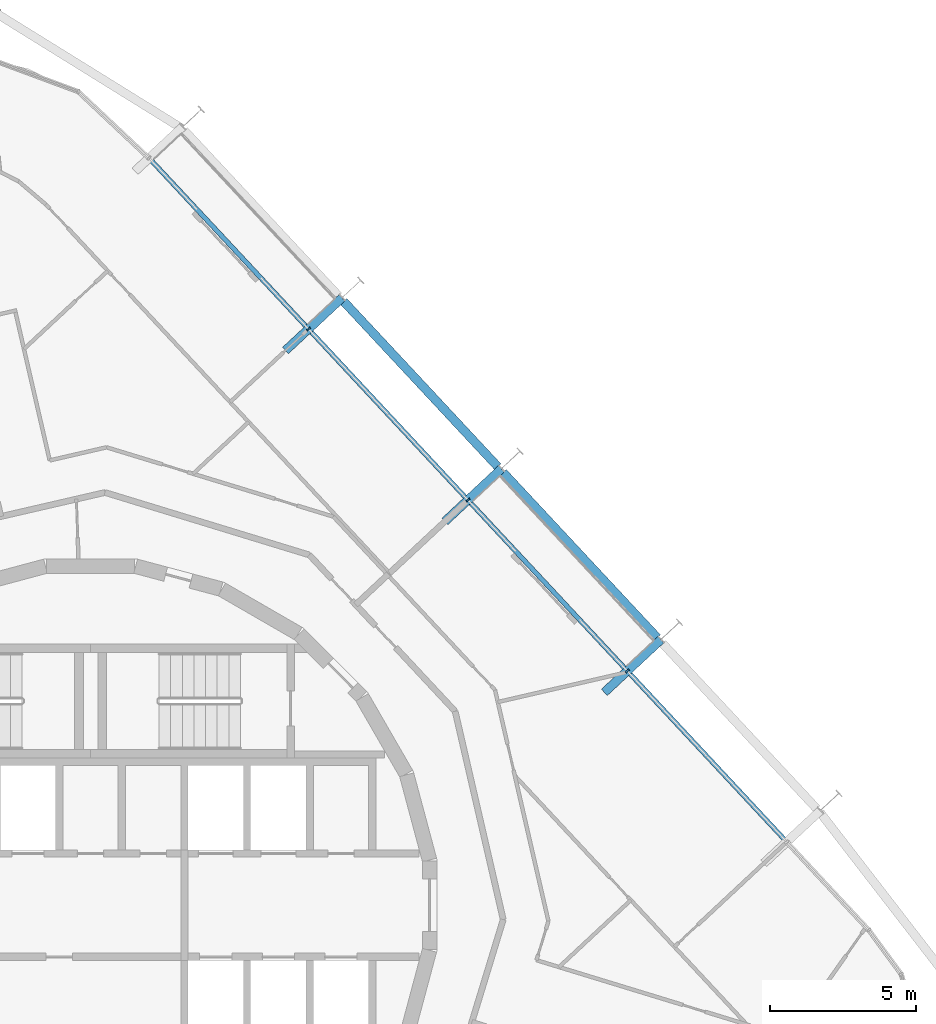
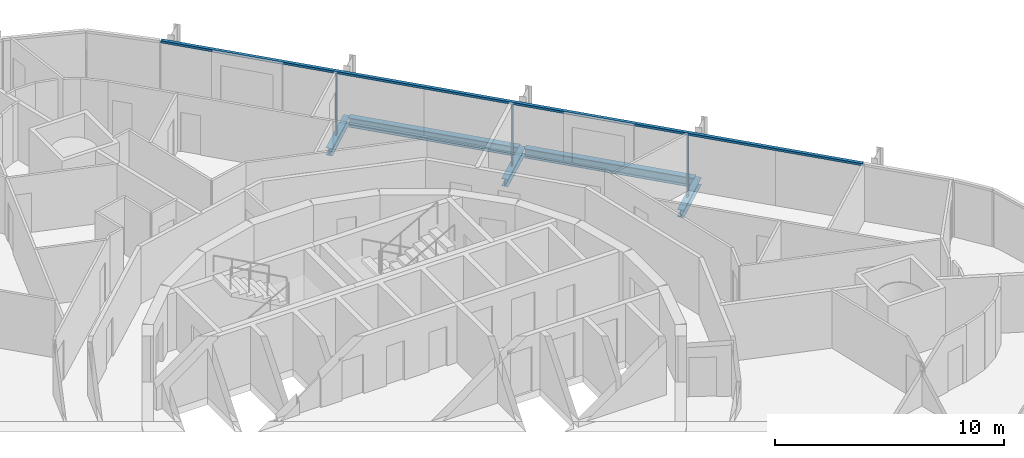
# One storey, part 9 of 18: 5 beams, 4 members, 1 element without a shape of its own.
"""IFC4 building model written with IfcOpenShell, lengths in metres."""

import ifcopenshell
import ifcopenshell.guid

model = None  # the IFC model being written
_history = None  # IfcOwnerHistory: only IFC2X3 demands one
_inside = {}  # id of a spatial element -> (the spatial element, [elements in it])
_under = {}  # id of a project, library or spatial element -> (it, [spatial elements below it])
_declared = {}  # id of a project -> (the project, [libraries it declares])
_typed = {}  # id of a type object -> (the type object, [elements of that type])
_made_of = {}  # id of a material, layer set ... -> (it, [elements and type objects made of it])


def new_model(schema):
    """Start an empty IFC model of exactly this schema.

    Asked for "IFC4X3", IfcOpenShell would pick the latest addendum, in which some entities
    have other attributes; the version numbers below select the first issue.
    IFC2X3 requires an IfcOwnerHistory on every rooted entity: one is made here for all.
    """
    global model, _history
    if schema == "IFC4X3":
        model = ifcopenshell.file(schema_version=(4, 3, 0, 0))
    else:
        model = ifcopenshell.file(schema=schema)
    _inside.clear()
    _under.clear()
    _declared.clear()
    _typed.clear()
    _made_of.clear()
    _history = None
    if model.schema == "IFC2X3":
        org = make("IfcOrganization", Name="unknown")
        user = make(
            "IfcPersonAndOrganization",
            ThePerson=make("IfcPerson", FamilyName="unknown"),
            TheOrganization=org,
        )
        app = make(
            "IfcApplication",
            ApplicationDeveloper=org,
            Version="unknown",
            ApplicationFullName="unknown",
            ApplicationIdentifier="unknown",
        )
        _history = make(
            "IfcOwnerHistory",
            OwningUser=user,
            OwningApplication=app,
            ChangeAction="ADDED",
            CreationDate=0,
        )
    return model


def make(cls, **values):
    """One entity of the class cls with the attributes given. An attribute that is None is left unset."""
    return model.create_entity(
        cls, **{name: value for name, value in values.items() if value is not None}
    )


def rooted(cls, **values):
    """An entity with a GlobalId (a new one), such as an element, a storey or a relation."""
    return make(cls, GlobalId=ifcopenshell.guid.new(), OwnerHistory=_history, **values)


def si_unit(unit_type, name, prefix=None):
    """IfcSIUnit, for example si_unit("LENGTHUNIT", "METRE", prefix="MILLI")."""
    return make("IfcSIUnit", UnitType=unit_type, Prefix=prefix, Name=name)


def assignment(units):
    """IfcUnitAssignment: the units of a project."""
    return None if units is None else make("IfcUnitAssignment", Units=units)


def point(xyz):
    """IfcCartesianPoint."""
    return None if xyz is None else make("IfcCartesianPoint", Coordinates=xyz)


def direction(xyz):
    """IfcDirection."""
    return None if xyz is None else make("IfcDirection", DirectionRatios=xyz)


def frame(location, z_axis=None, x_axis=None):
    """IfcAxis2Placement3D, a coordinate frame: its origin and axes. An axis left out is left unset."""
    return make(
        "IfcAxis2Placement3D",
        Location=point(location),
        Axis=direction(z_axis),
        RefDirection=direction(x_axis),
    )


def frame_2d(location, x_axis=None):
    """IfcAxis2Placement2D, a coordinate frame in the plane: its origin and x axis."""
    return make(
        "IfcAxis2Placement2D", Location=point(location), RefDirection=direction(x_axis)
    )


def origin():
    """The frame at (0, 0, 0) with its axes left unset."""
    return frame((0.0, 0.0, 0.0))


def origin_2d():
    """The frame at (0, 0) in the plane with its x axis left unset."""
    return frame_2d((0.0, 0.0))


def place(relative_to, where):
    """IfcLocalPlacement: puts the frame where relative to a parent placement (None: the world)."""
    return make(
        "IfcLocalPlacement", PlacementRelTo=relative_to, RelativePlacement=where
    )


def context(
    kind, dimensions, precision=None, world=None, true_north=None, identifier=None
):
    """IfcGeometricRepresentationContext, for example the 3D "Model" context."""
    return make(
        "IfcGeometricRepresentationContext",
        ContextIdentifier=identifier,
        ContextType=kind,
        CoordinateSpaceDimension=dimensions,
        Precision=precision,
        WorldCoordinateSystem=world,
        TrueNorth=true_north,
    )


def subcontext(parent, identifier, kind, view, scale=None):
    """IfcGeometricRepresentationSubContext, for example "Body" below "Model"."""
    return make(
        "IfcGeometricRepresentationSubContext",
        ContextIdentifier=identifier,
        ContextType=kind,
        ParentContext=parent,
        TargetScale=scale,
        TargetView=view,
    )


def project(units=None, contexts=None):
    """IfcProject with its units and contexts."""
    return rooted(
        "IfcProject",
        Name="project",
        RepresentationContexts=contexts,
        UnitsInContext=assignment(units),
    )


def spatial(cls, under=None, at=None, **own):
    """A site, building, storey or space (cls), placed at a placement, below another one or the project."""
    s = rooted(cls, ObjectPlacement=at, **own)
    if under is not None:
        _under.setdefault(under.id(), (under, []))[1].append(s)
    return s


def profile(cls, at=None, kind="AREA", **sizes):
    """A parametric profile (cls). Its sizes go by their IFC names, for example OverallWidth=200.0."""
    return make(cls, ProfileType=kind, Position=at, **sizes)


def rectangle(**sizes):
    """IfcRectangleProfileDef."""
    return profile("IfcRectangleProfileDef", **sizes)


def i_section(**sizes):
    """IfcIShapeProfileDef."""
    return profile("IfcIShapeProfileDef", **sizes)


def extrude(swept, where, along, depth):
    """IfcExtrudedAreaSolid: the profile swept, set in the frame where, extruded along a direction by depth."""
    return make(
        "IfcExtrudedAreaSolid",
        SweptArea=swept,
        Position=where,
        ExtrudedDirection=direction(along),
        Depth=depth,
    )


def shape(context_of_items, identifier, shape_type, items):
    """IfcShapeRepresentation: the items that make up one representation, for example the "Body"."""
    return make(
        "IfcShapeRepresentation",
        ContextOfItems=context_of_items,
        RepresentationIdentifier=identifier,
        RepresentationType=shape_type,
        Items=items,
    )


def material(Name=None, Category=None):
    """IfcMaterial."""
    return make("IfcMaterial", Name=Name, Category=Category)


def layer(
    of_material, thickness, ventilated=None, Name=None, Category=None, Priority=None
):
    """IfcMaterialLayer: one layer of a wall or slab, of a material (None: an air gap)."""
    return make(
        "IfcMaterialLayer",
        Material=of_material,
        LayerThickness=thickness,
        IsVentilated=ventilated,
        Name=Name,
        Category=Category,
        Priority=Priority,
    )


def layer_set(layers, Name=None):
    """IfcMaterialLayerSet."""
    return make("IfcMaterialLayerSet", MaterialLayers=layers, LayerSetName=Name)


def material_profile(
    of_material, cross_section, Name=None, Category=None, Priority=None
):
    """IfcMaterialProfile: a cross section and its material."""
    return make(
        "IfcMaterialProfile",
        Name=Name,
        Material=of_material,
        Profile=cross_section,
        Priority=Priority,
        Category=Category,
    )


def profile_set(profiles, Name=None, composite=None):
    """IfcMaterialProfileSet."""
    return make(
        "IfcMaterialProfileSet",
        Name=Name,
        MaterialProfiles=profiles,
        CompositeProfile=composite,
    )


def made_of(thing, what):
    """Note that an element or type object is made of a material, layer set ...; save() writes the relation."""
    if what is not None:
        _made_of.setdefault(what.id(), (what, []))[1].append(thing)
    return thing


def type_object(cls, material=None, **own):
    """A type object (cls), such as IfcWallType, which elements share."""
    return made_of(rooted(cls, **own), material)


def element(
    cls,
    number,
    at=None,
    inside=None,
    cuts=None,
    type_object=None,
    material=None,
    context=None,
    identifier="Body",
    shape_type=None,
    held_by="IfcProductDefinitionShape",
    body=None,
    shapes=None,
    **own,
):
    """One element of the class cls, such as IfcWall. Its Tag is "e" and its number.

    at: its placement. inside: the storey or other place that contains it. cuts: it is an
    opening in that element (IfcRelVoidsElement). A single representation is given by context,
    identifier, shape_type and body (its items); several are given by shapes. held_by: the class
    of the entity that holds the representations. save() writes the other relations.
    """
    e = rooted(cls, Tag="e%d" % number, ObjectPlacement=at, **own)
    if body is not None:
        shapes = [shape(context, identifier, shape_type, body)]
    if shapes is not None:
        e.Representation = make(held_by, Representations=shapes)
    if inside is not None:
        _inside.setdefault(inside.id(), (inside, []))[1].append(e)
    if cuts is not None:
        rooted(
            "IfcRelVoidsElement", RelatingBuildingElement=cuts, RelatedOpeningElement=e
        )
    if type_object is not None:
        _typed.setdefault(type_object.id(), (type_object, []))[1].append(e)
    return made_of(e, material)


def aggregate(whole, parts):
    """IfcRelAggregates: a whole, such as a stair, and the parts it consists of."""
    return rooted("IfcRelAggregates", RelatingObject=whole, RelatedObjects=parts)


def save(model, path):
    """Write the relations noted so far, then the file.

    IfcRelAggregates (storeys below a building ...), IfcRelContainedInSpatialStructure (elements
    in a storey), IfcRelDefinesByType, IfcRelAssociatesMaterial and IfcRelDeclares: one each for
    every whole, place, type object, material and project.
    """
    for whole, parts in _under.values():
        aggregate(whole, parts)
    for where, things in _inside.values():
        rooted(
            "IfcRelContainedInSpatialStructure",
            RelatedElements=things,
            RelatingStructure=where,
        )
    for kind, things in _typed.values():
        rooted("IfcRelDefinesByType", RelatedObjects=things, RelatingType=kind)
    for what, things in _made_of.values():
        rooted("IfcRelAssociatesMaterial", RelatedObjects=things, RelatingMaterial=what)
    for by, libraries in _declared.values():
        rooted("IfcRelDeclares", RelatingContext=by, RelatedDefinitions=libraries)
    model.write(path)


model = new_model("IFC4")

# Units and contexts
model_context = context("Model", 3, precision=1e-05, world=origin(), true_north=direction((0.0, 1.0)))
body_context = subcontext(model_context, "Body", "Model", "MODEL_VIEW")
ifc_project = project(units=[si_unit("LENGTHUNIT", "METRE"), si_unit("AREAUNIT", "SQUARE_METRE"), si_unit("VOLUMEUNIT", "CUBIC_METRE"), si_unit("PLANEANGLEUNIT", "RADIAN"), si_unit("MASSUNIT", "GRAM", prefix="KILO")], contexts=[model_context])

# Site, building, storey
site_placement = place(None, origin())
site = spatial("IfcSite", under=ifc_project, at=site_placement, CompositionType="ELEMENT")
building_placement = place(site_placement, origin())
building = spatial("IfcBuilding", under=site, at=building_placement, Name="Spindle Arch Residences", CompositionType="ELEMENT")
storey_placement = place(building_placement, frame((0.0, 0.0, 141.39990234375)))
storey = spatial("IfcBuildingStorey", under=building, at=storey_placement, Name="L35", CompositionType="ELEMENT", Elevation=141.39990234375)

# Curtain wall, members
ifc_material_1 = material(Name="Aluminium bronze unitised frame with tinted glass", Category="aluminium")
ifc_layer = layer(ifc_material_1, 0.159912109375)
ifc_layer_set = layer_set([ifc_layer], Name="CW-C typical residential unitised wall")
curtain_wall_type = type_object("IfcCurtainWallType", Name="CW-C typical residential unitised wall", PredefinedType="NOTDEFINED", material=ifc_layer_set)
curtain_wall_placement = place(storey_placement, origin())
curtain_wall = element("IfcCurtainWall", 1, at=curtain_wall_placement, inside=storey, type_object=curtain_wall_type, Name="CW-C L35 run 2", PredefinedType="NOTDEFINED")
ifc_material_2 = material(Name="Aluminium bronze anodised mullion", Category="aluminium")
ifc_material_profile_1 = material_profile(ifc_material_2, rectangle(XDim=0.159912109375, YDim=0.06005859375, at=origin_2d()), Name="MU 60x160")
ifc_profile_set_1 = profile_set([ifc_material_profile_1], Name="Aluminium bronze anodised mullion")
member_type_1 = type_object("IfcMemberType", Name="Bronze mullion 60x160", PredefinedType="MULLION", material=ifc_profile_set_1)
member_1_placement = place(storey_placement, frame((18.437744140625, 8.044677734375, -0.3798828125), z_axis=(0.0, 0.0, 1.0), x_axis=(-0.731353701619, -0.681998360062, 0.0)))
member_1 = element("IfcMember", 2, at=member_1_placement, type_object=member_type_1, Name="CW-C mullion 06", PredefinedType="MULLION", context=body_context, shape_type="SweptSolid", body=[
    extrude(rectangle(XDim=0.159912109375, YDim=0.06005859375, at=origin_2d()), origin(), (0.0, 0.0, 1.0), 3.31005859375),
])
member_2_placement = place(storey_placement, frame((12.961669921875, 13.916748046875, -0.3798828125), z_axis=(0.0, 0.0, 1.0), x_axis=(-0.731353701619, -0.681998360062, 0.0)))
member_2 = element("IfcMember", 3, at=member_2_placement, type_object=member_type_1, Name="CW-C mullion 07", PredefinedType="MULLION", context=body_context, shape_type="SweptSolid", body=[
    extrude(rectangle(XDim=0.159912109375, YDim=0.06005859375, at=origin_2d()), origin(), (0.0, 0.0, 1.0), 3.31005859375),
])
member_3_placement = place(storey_placement, frame((7.48583984375, 19.7890625, -0.3798828125), z_axis=(0.0, 0.0, 1.0), x_axis=(-0.731353701619, -0.681998360062, 0.0)))
member_3 = element("IfcMember", 4, at=member_3_placement, type_object=member_type_1, Name="CW-C mullion 08", PredefinedType="MULLION", context=body_context, shape_type="SweptSolid", body=[
    extrude(rectangle(XDim=0.159912109375, YDim=0.06005859375, at=origin_2d()), origin(), (0.0, 0.0, 1.0), 3.31005859375),
])
ifc_material_3 = material(Name="Aluminium bronze anodised transom", Category="aluminium")
ifc_material_profile_2 = material_profile(ifc_material_3, rectangle(XDim=0.159912109375, YDim=0.1201171875, at=origin_2d()), Name="TR 120x160")
ifc_profile_set_2 = profile_set([ifc_material_profile_2], Name="Aluminium bronze anodised transom")
member_type_2 = type_object("IfcMemberType", Name="Bronze transom 120x160", PredefinedType="USERDEFINED", material=ifc_profile_set_2)
member_4_placement = place(storey_placement, frame((23.89306640625, 2.1943359375, 2.989990234375), z_axis=(-0.681996633995, 0.731355311199, 0.0), x_axis=(-0.731355311199, -0.681996633995, 0.0)))
member_4 = element("IfcMember", 5, at=member_4_placement, type_object=member_type_2, Name="CW-C transom 00", ObjectType="TRANSOM", PredefinedType="USERDEFINED", context=body_context, shape_type="SweptSolid", body=[
    extrude(rectangle(XDim=0.159912109375, YDim=0.1201171875, at=origin_2d()), origin(), (0.0, 0.0, 1.0), 32.056640625),
])
aggregate(curtain_wall, [member_4, member_1, member_2, member_3])

# Beams
ifc_material_4 = material(Name="Steel S460ML, intumescent coating R 120", Category="steel")
ifc_material_profile_3 = material_profile(ifc_material_4, i_section(OverallWidth=0.300048828125, OverallDepth=0.5, WebThickness=0.014404296875, FlangeThickness=0.028076171875, FilletRadius=0.027099609375, at=origin_2d()), Name="HEB 500")
ifc_profile_set_3 = profile_set([ifc_material_profile_3], Name="Steel S460ML, intumescent coating R 120")
beam_type_1 = type_object("IfcBeamType", Name="Exoskeleton edge beam HEB 500", PredefinedType="BEAM", material=ifc_profile_set_3)
beam_1_placement = place(storey_placement, frame((19.468017578125, 9.18310546875, -0.6298828125), z_axis=(-0.681992374481, 0.731359283218, 0.0), x_axis=(-0.731359283218, -0.681992374481, 0.0)))
element("IfcBeam", 6, at=beam_1_placement, inside=storey, type_object=beam_type_1, Name="Exoskeleton edge beam 7", PredefinedType="BEAM", context=body_context, shape_type="SweptSolid", body=[
    extrude(i_section(OverallWidth=0.300048828125, OverallDepth=0.5, WebThickness=0.014404296875, FlangeThickness=0.028076171875, FilletRadius=0.027099609375, at=origin_2d()), origin(), (0.0, 0.0, 1.0), 7.769287109375),
])
beam_2_placement = place(storey_placement, frame((13.9921875, 15.055419921875, -0.6298828125), z_axis=(-0.682008048331, 0.731344667042, 0.0), x_axis=(-0.731344667042, -0.682008048331, 0.0)))
element("IfcBeam", 7, at=beam_2_placement, inside=storey, type_object=beam_type_1, Name="Exoskeleton edge beam 8", PredefinedType="BEAM", context=body_context, shape_type="SweptSolid", body=[
    extrude(i_section(OverallWidth=0.300048828125, OverallDepth=0.5, WebThickness=0.014404296875, FlangeThickness=0.028076171875, FilletRadius=0.027099609375, at=origin_2d()), origin(), (0.0, 0.0, 1.0), 7.76904296875),
])
ifc_material_5 = material(Name="Steel S460ML, intumescent coating R 120", Category="steel")
ifc_material_profile_4 = material_profile(ifc_material_5, i_section(OverallWidth=0.300048828125, OverallDepth=0.389892578125, WebThickness=0.010986328125, FlangeThickness=0.01904296875, FilletRadius=0.027099609375, at=origin_2d()), Name="HEA 400")
ifc_profile_set_4 = profile_set([ifc_material_profile_4], Name="Steel S460ML, intumescent coating R 120")
beam_type_2 = type_object("IfcBeamType", Name="Floor outrigger HEA 400", PredefinedType="BEAM", material=ifc_profile_set_4)
beam_3_placement = place(storey_placement, frame((19.5859375, 9.115478515625, -0.574951171875), z_axis=(-0.731364603864, -0.681986668649, 0.0), x_axis=(0.681986668649, -0.731364603864, 0.0)))
element("IfcBeam", 8, at=beam_3_placement, inside=storey, type_object=beam_type_2, Name="Floor outrigger 7", PredefinedType="BEAM", context=body_context, shape_type="SweptSolid", body=[
    extrude(i_section(OverallWidth=0.300048828125, OverallDepth=0.389892578125, WebThickness=0.010986328125, FlangeThickness=0.01904296875, FilletRadius=0.027099609375, at=origin_2d()), origin(), (0.0, 0.0, 1.0), 2.650146484375),
])
for number, where, z_axis, x_axis, name in (
    (9, (14.110107421875, 14.987548828125, -0.574951171875), (-0.731410554291, -0.681937387941, 0.0), (0.681937387941, -0.731410554291, 0.0), "Floor outrigger 8"),
    (10, (8.634033203125, 20.859619140625, -0.574951171875), (-0.731367706511, -0.681983341345, 0.0), (0.681983341345, -0.731367706511, 0.0), "Floor outrigger 9"),
):
    element("IfcBeam", number, at=place(storey_placement, frame(where, z_axis=z_axis, x_axis=x_axis)), inside=storey, type_object=beam_type_2, Name=name, PredefinedType="BEAM", context=body_context, shape_type="SweptSolid", body=[
        extrude(i_section(OverallWidth=0.300048828125, OverallDepth=0.389892578125, WebThickness=0.010986328125, FlangeThickness=0.01904296875, FilletRadius=0.027099609375, at=origin_2d()), origin(), (0.0, 0.0, 1.0), 2.64990234375),
    ])

save(model, "model.ifc")
